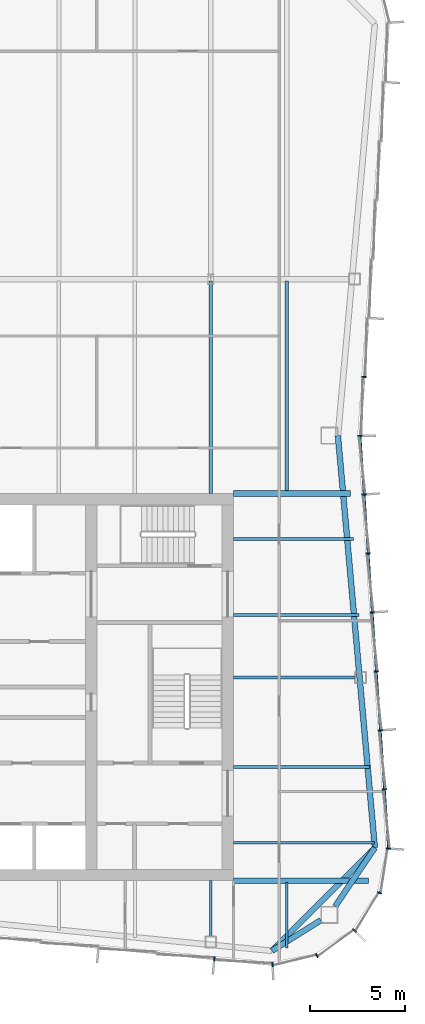
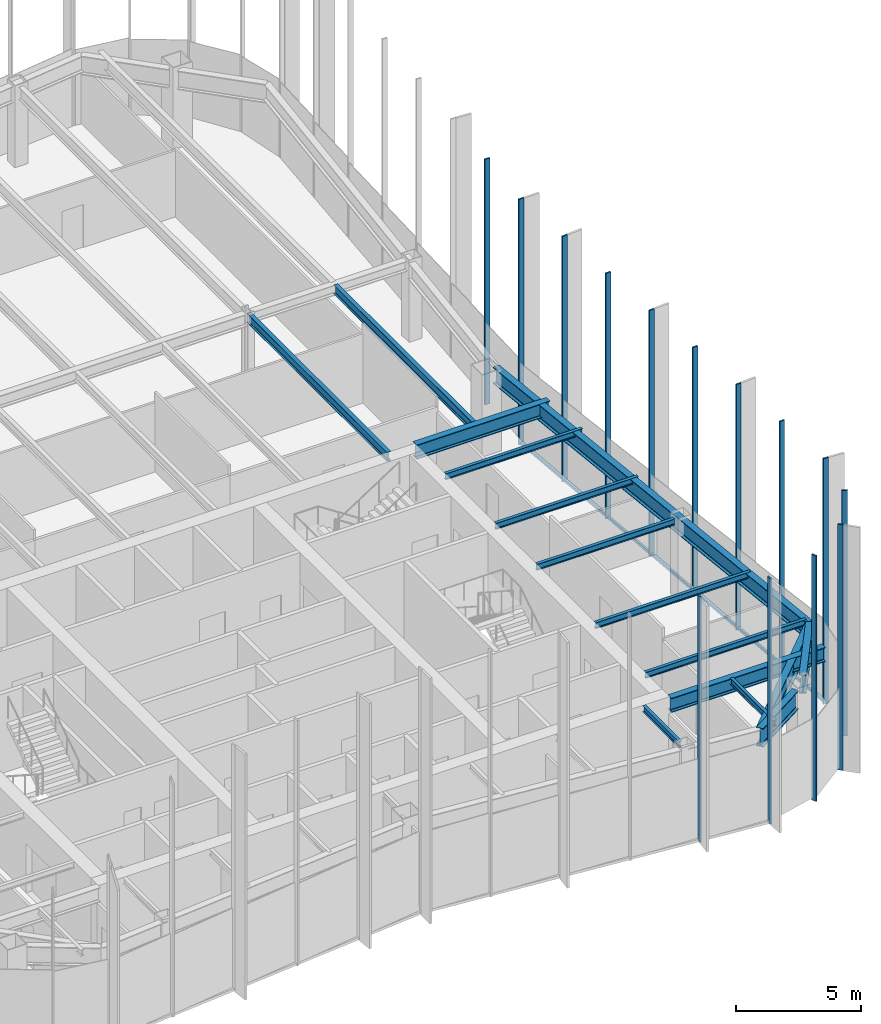
# One storey, part 5 of 13: 15 beams, 15 members, 3 elements without a shape of their own.
"""IFC4 building model written with IfcOpenShell, lengths in metres."""

from ifc_helpers import new_model, si_unit, direction, frame, origin, origin_2d, place, context, subcontext, project, spatial, rectangle, i_section, extrude, material, material_profile, profile_set, type_object, element, aggregate, save


model = new_model("IFC4")

# Units and contexts
model_context = context("Model", 3, precision=1e-05, world=origin(), true_north=direction((0.0, 1.0)))
body_context = subcontext(model_context, "Body", "Model", "MODEL_VIEW")
ifc_project = project(units=[si_unit("LENGTHUNIT", "METRE"), si_unit("AREAUNIT", "SQUARE_METRE"), si_unit("VOLUMEUNIT", "CUBIC_METRE"), si_unit("PLANEANGLEUNIT", "RADIAN"), si_unit("MASSUNIT", "GRAM", prefix="KILO")], contexts=[model_context])

# Site, building, storey
site_placement = place(None, origin())
site = spatial("IfcSite", under=ifc_project, at=site_placement, CompositionType="ELEMENT")
building_placement = place(site_placement, origin())
building = spatial("IfcBuilding", under=site, at=building_placement, Name="Verdant Reach Tower", CompositionType="ELEMENT")
storey_placement = place(building_placement, frame((0.0, 0.0, 318.0)))
storey = spatial("IfcBuildingStorey", under=building, at=storey_placement, Name="L73", CompositionType="ELEMENT", Elevation=318.0)

# Curtain wall, members
ifc_material_1 = material(Name="Anodised aluminium", Category="aluminium")
curtain_wall_type = type_object("IfcCurtainWallType", Name="EN-CW SYSTEM Z5", PredefinedType="NOTDEFINED", material=ifc_material_1)
curtain_wall_1_placement = place(storey_placement, origin())
curtain_wall_1 = element("IfcCurtainWall", 1, at=curtain_wall_1_placement, inside=storey, type_object=curtain_wall_type, Name="Curtain wall south-east corner, L73", PredefinedType="NOTDEFINED")
ifc_material_profile_1 = material_profile(ifc_material_1, rectangle(XDim=0.22998046875, YDim=0.070068359375, at=origin_2d()), Name="Mullion 70x230")
ifc_profile_set_1 = profile_set([ifc_material_profile_1], Name="Anodised aluminium")
member_type_1 = type_object("IfcMemberType", Name="EN-MULLION Z5", PredefinedType="MULLION", material=ifc_profile_set_1)
member_1_placement = place(storey_placement, frame((15.255615234375, 13.38525390625, -0.35009765625), z_axis=(0.0, 0.0, 1.0), x_axis=(0.049127596288, -0.998792510626, 0.0)))
member_1 = element("IfcMember", 2, at=member_1_placement, type_object=member_type_1, Name="Mullion south-east corner 1, L73", PredefinedType="MULLION", context=body_context, shape_type="SweptSolid", body=[
    extrude(rectangle(XDim=0.22998046875, YDim=0.070068359375, at=origin_2d()), origin(), (0.0, 0.0, 1.0), 12.0),
])
member_2_placement = place(storey_placement, frame((17.590087890625, 13.850341796875, -0.35009765625), z_axis=(0.0, 0.0, 1.0), x_axis=(0.382693853776, -0.923875215753, 0.0)))
member_2 = element("IfcMember", 3, at=member_2_placement, type_object=member_type_1, Name="Mullion south-east corner 2, L73", PredefinedType="MULLION", context=body_context, shape_type="SweptSolid", body=[
    extrude(rectangle(XDim=0.22998046875, YDim=0.070068359375, at=origin_2d()), origin(), (0.0, 0.0, 1.0), 12.0),
])
member_3_placement = place(storey_placement, frame((19.573974609375, 15.176025390625, -0.35009765625), z_axis=(0.0, 0.0, 1.0), x_axis=(0.707106781187, -0.707106781187, 0.0)))
member_3 = element("IfcMember", 4, at=member_3_placement, type_object=member_type_1, Name="Mullion south-east corner 3, L73", PredefinedType="MULLION", context=body_context, shape_type="SweptSolid", body=[
    extrude(rectangle(XDim=0.22998046875, YDim=0.070068359375, at=origin_2d()), origin(), (0.0, 0.0, 1.0), 12.0),
])
member_4_placement = place(storey_placement, frame((20.899658203125, 17.159912109375, -0.35009765625), z_axis=(0.0, 0.0, 1.0), x_axis=(0.923875215753, -0.382693853776, 0.0)))
member_4 = element("IfcMember", 5, at=member_4_placement, type_object=member_type_1, Name="Mullion south-east corner 4, L73", PredefinedType="MULLION", context=body_context, shape_type="SweptSolid", body=[
    extrude(rectangle(XDim=0.22998046875, YDim=0.070068359375, at=origin_2d()), origin(), (0.0, 0.0, 1.0), 12.0),
])
aggregate(curtain_wall_1, [member_1, member_2, member_3, member_4])

curtain_wall_2_placement = place(storey_placement, origin())
curtain_wall_2 = element("IfcCurtainWall", 6, at=curtain_wall_2_placement, inside=storey, type_object=curtain_wall_type, Name="Curtain wall east, L73", PredefinedType="NOTDEFINED")
member_5_placement = place(storey_placement, frame((21.36474609375, 19.49267578125, -0.35009765625), z_axis=(0.0, 0.0, 1.0), x_axis=(0.997969180898, -0.063698618332, 0.0)))
member_5 = element("IfcMember", 7, at=member_5_placement, type_object=member_type_1, Name="Mullion east face part 1 1, L73", PredefinedType="MULLION", context=body_context, shape_type="SweptSolid", body=[
    extrude(rectangle(XDim=0.22998046875, YDim=0.070068359375, at=origin_2d()), origin(), (0.0, 0.0, 1.0), 12.0),
])
member_6_placement = place(storey_placement, frame((21.150390625, 22.614990234375, -0.35009765625), z_axis=(0.0, 0.0, 1.0), x_axis=(0.997630328423, 0.068802091615, 0.0)))
member_6 = element("IfcMember", 8, at=member_6_placement, type_object=member_type_1, Name="Mullion east face part 1 2, L73", PredefinedType="MULLION", context=body_context, shape_type="SweptSolid", body=[
    extrude(rectangle(XDim=0.22998046875, YDim=0.070068359375, at=origin_2d()), origin(), (0.0, 0.0, 1.0), 12.0),
])
member_7_placement = place(storey_placement, frame((20.93603515625, 25.72216796875, -0.35009765625), z_axis=(0.0, 0.0, 1.0), x_axis=(0.997630328423, 0.068802091615, 0.0)))
member_7 = element("IfcMember", 9, at=member_7_placement, type_object=member_type_1, Name="Mullion east face part 1 3, L73", PredefinedType="MULLION", context=body_context, shape_type="SweptSolid", body=[
    extrude(rectangle(XDim=0.22998046875, YDim=0.070068359375, at=origin_2d()), origin(), (0.0, 0.0, 1.0), 12.0),
])
member_8_placement = place(storey_placement, frame((20.721923828125, 28.829345703125, -0.35009765625), z_axis=(0.0, 0.0, 1.0), x_axis=(0.997630328423, 0.068802091615, 0.0)))
member_8 = element("IfcMember", 10, at=member_8_placement, type_object=member_type_1, Name="Mullion east face part 1 4, L73", PredefinedType="MULLION", context=body_context, shape_type="SweptSolid", body=[
    extrude(rectangle(XDim=0.22998046875, YDim=0.070068359375, at=origin_2d()), origin(), (0.0, 0.0, 1.0), 12.0),
])
member_9_placement = place(storey_placement, frame((20.507568359375, 31.9365234375, -0.35009765625), z_axis=(0.0, 0.0, 1.0), x_axis=(0.997630328423, 0.068802091615, 0.0)))
member_9 = element("IfcMember", 11, at=member_9_placement, type_object=member_type_1, Name="Mullion east face part 1 5, L73", PredefinedType="MULLION", context=body_context, shape_type="SweptSolid", body=[
    extrude(rectangle(XDim=0.22998046875, YDim=0.070068359375, at=origin_2d()), origin(), (0.0, 0.0, 1.0), 12.0),
])
member_10_placement = place(storey_placement, frame((20.293212890625, 35.043701171875, -0.35009765625), z_axis=(0.0, 0.0, 1.0), x_axis=(0.997630328423, 0.068802091615, 0.0)))
member_10 = element("IfcMember", 12, at=member_10_placement, type_object=member_type_1, Name="Mullion east face part 1 6, L73", PredefinedType="MULLION", context=body_context, shape_type="SweptSolid", body=[
    extrude(rectangle(XDim=0.22998046875, YDim=0.070068359375, at=origin_2d()), origin(), (0.0, 0.0, 1.0), 12.0),
])
member_11_placement = place(storey_placement, frame((20.0791015625, 38.15087890625, -0.35009765625), z_axis=(0.0, 0.0, 1.0), x_axis=(0.997630328423, 0.068802091615, 0.0)))
member_11 = element("IfcMember", 13, at=member_11_placement, type_object=member_type_1, Name="Mullion east face part 1 7, L73", PredefinedType="MULLION", context=body_context, shape_type="SweptSolid", body=[
    extrude(rectangle(XDim=0.22998046875, YDim=0.070068359375, at=origin_2d()), origin(), (0.0, 0.0, 1.0), 12.0),
])
member_12_placement = place(storey_placement, frame((19.864990234375, 41.25, -0.35009765625), z_axis=(0.0, 0.0, 1.0), x_axis=(1.0, 0.0, 0.0)))
member_12 = element("IfcMember", 14, at=member_12_placement, type_object=member_type_1, Name="Mullion east face part 2 1, L73", PredefinedType="MULLION", context=body_context, shape_type="SweptSolid", body=[
    extrude(rectangle(XDim=0.22998046875, YDim=0.070068359375, at=origin_2d()), origin(), (0.0, 0.0, 1.0), 12.0),
])
member_13_placement = place(storey_placement, frame((20.0791015625, 44.34912109375, -0.35009765625), z_axis=(0.0, 0.0, 1.0), x_axis=(0.997630328423, -0.068802091615, 0.0)))
member_13 = element("IfcMember", 15, at=member_13_placement, type_object=member_type_1, Name="Mullion east face part 2 2, L73", PredefinedType="MULLION", context=body_context, shape_type="SweptSolid", body=[
    extrude(rectangle(XDim=0.22998046875, YDim=0.070068359375, at=origin_2d()), origin(), (0.0, 0.0, 1.0), 12.0),
])

# Curtain wall, member
curtain_wall_3_placement = place(storey_placement, origin())
curtain_wall_3 = element("IfcCurtainWall", 16, at=curtain_wall_3_placement, inside=storey, type_object=curtain_wall_type, Name="Curtain wall south, L73", PredefinedType="NOTDEFINED")
member_14_placement = place(storey_placement, frame((12.188720703125, 13.685546875, -0.35009765625), z_axis=(0.0, 0.0, 1.0), x_axis=(-0.09788826992, -0.995197410875, 0.0)))
member_14 = element("IfcMember", 17, at=member_14_placement, type_object=member_type_1, Name="Mullion south face part 2 5, L73", PredefinedType="MULLION", context=body_context, shape_type="SweptSolid", body=[
    extrude(rectangle(XDim=0.22998046875, YDim=0.070068359375, at=origin_2d()), origin(), (0.0, 0.0, 1.0), 12.0),
])
aggregate(curtain_wall_3, [member_14])

# Member
ifc_material_profile_2 = material_profile(ifc_material_1, rectangle(XDim=0.10009765625, YDim=0.1298828125, at=origin_2d()), Name="Transom 130x100")
ifc_profile_set_2 = profile_set([ifc_material_profile_2], Name="Anodised aluminium")
member_type_2 = type_object("IfcMemberType", Name="EN-TRANSOM Z5", PredefinedType="USERDEFINED", material=ifc_profile_set_2)
member_15_placement = place(storey_placement, frame((21.3623046875, 19.527587890625, -0.284912109375), z_axis=(-0.068764705107, 0.997632906099, 0.0), x_axis=(-0.997632906099, -0.068764705107, 0.0)))
member_15 = element("IfcMember", 18, at=member_15_placement, type_object=member_type_2, Name="Transom east face part 1 1.1, L73", ObjectType="TRANSOM", PredefinedType="USERDEFINED", context=body_context, shape_type="SweptSolid", body=[
    extrude(rectangle(XDim=0.10009765625, YDim=0.1298828125, at=origin_2d()), origin(), (0.0, 0.0, 1.0), 21.739013671875),
])

aggregate(curtain_wall_2, [member_5, member_6, member_7, member_8, member_9, member_10, member_11, member_15, member_12, member_13])

# Beams
ifc_material_2 = material(Name="Steel S355", Category="steel")
ifc_material_profile_3 = material_profile(ifc_material_2, i_section(OverallWidth=0.300048828125, OverallDepth=0.699951171875, WebThickness=0.01708984375, FlangeThickness=0.031982421875, FilletRadius=0.027099609375, at=origin_2d()), Name="HEB 700")
ifc_profile_set_3 = profile_set([ifc_material_profile_3], Name="Steel S355")
beam_type_1 = type_object("IfcBeamType", Name="ST-BEAM-HEB700", PredefinedType="BEAM", material=ifc_profile_set_3)
beam_1_placement = place(storey_placement, frame((13.199951171875, 38.199951171875, 3.52001953125), z_axis=(1.0, 0.0, 0.0), x_axis=(0.0, 1.0, 0.0)))
element("IfcBeam", 19, at=beam_1_placement, inside=storey, type_object=beam_type_1, Name="Trimmer beam, L73", PredefinedType="BEAM", context=body_context, shape_type="SweptSolid", body=[
    extrude(i_section(OverallWidth=0.300048828125, OverallDepth=0.699951171875, WebThickness=0.01708984375, FlangeThickness=0.031982421875, FilletRadius=0.027099609375, at=origin_2d()), origin(), (0.0, 0.0, 1.0), 6.158935546875),
])
beam_2_placement = place(storey_placement, frame((13.199951171875, 17.800048828125, 3.52001953125), z_axis=(1.0, 0.0, 0.0), x_axis=(0.0, 1.0, 0.0)))
element("IfcBeam", 20, at=beam_2_placement, inside=storey, type_object=beam_type_1, Name="Trimmer beam, L73", PredefinedType="BEAM", context=body_context, shape_type="SweptSolid", body=[
    extrude(i_section(OverallWidth=0.300048828125, OverallDepth=0.699951171875, WebThickness=0.01708984375, FlangeThickness=0.031982421875, FilletRadius=0.027099609375, at=origin_2d()), origin(), (0.0, 0.0, 1.0), 7.10009765625),
])
ifc_material_profile_4 = material_profile(ifc_material_2, i_section(OverallWidth=0.302001953125, OverallDepth=0.909912109375, WebThickness=0.02099609375, FlangeThickness=0.0400390625, FilletRadius=0.030029296875, at=origin_2d()), Name="HEM 900")
ifc_profile_set_4 = profile_set([ifc_material_profile_4], Name="Steel S355")
beam_type_2 = type_object("IfcBeamType", Name="ST-BEAM-HEM900", PredefinedType="BEAM", material=ifc_profile_set_4)
beam_3_placement = place(storey_placement, frame((17.800048828125, 15.71875, 3.4150390625), z_axis=(-0.847903624467, -0.530150397166, 0.0), x_axis=(0.530150397166, -0.847903624467, 0.0)))
element("IfcBeam", 21, at=beam_3_placement, inside=storey, type_object=beam_type_2, Name="Column stub beam, L73", PredefinedType="BEAM", context=body_context, shape_type="SweptSolid", body=[
    extrude(i_section(OverallWidth=0.302001953125, OverallDepth=0.909912109375, WebThickness=0.02099609375, FlangeThickness=0.0400390625, FilletRadius=0.030029296875, at=origin_2d()), origin(), (0.0, 0.0, 1.0), 3.042724609375),
])
beam_4_placement = place(storey_placement, frame((18.5546875, 16.449951171875, 3.4150390625), z_axis=(0.560667226688, 0.828041219335, 0.0), x_axis=(-0.828041219335, 0.560667226688, 0.0)))
element("IfcBeam", 22, at=beam_4_placement, inside=storey, type_object=beam_type_2, Name="Column stub beam, L73", PredefinedType="BEAM", context=body_context, shape_type="SweptSolid", body=[
    extrude(i_section(OverallWidth=0.302001953125, OverallDepth=0.909912109375, WebThickness=0.02099609375, FlangeThickness=0.0400390625, FilletRadius=0.030029296875, at=origin_2d()), origin(), (0.0, 0.0, 1.0), 3.72998046875),
])
ifc_material_profile_5 = material_profile(ifc_material_2, i_section(OverallWidth=0.14990234375, OverallDepth=0.300048828125, WebThickness=0.007080078125, FlangeThickness=0.0107421875, FilletRadius=0.014892578125, at=origin_2d()), Name="IPE 300")
ifc_profile_set_5 = profile_set([ifc_material_profile_5], Name="Steel S355")
beam_type_3 = type_object("IfcBeamType", Name="ST-JOIST-IPE300", PredefinedType="JOIST", material=ifc_profile_set_5)
beam_5_placement = place(storey_placement, frame((12.0, 17.800048828125, 3.719970703125), z_axis=(0.0, -1.0, 0.0), x_axis=(1.0, 0.0, 0.0)))
element("IfcBeam", 23, at=beam_5_placement, inside=storey, type_object=beam_type_3, Name="Floor joist, L73", PredefinedType="JOIST", context=body_context, shape_type="SweptSolid", body=[
    extrude(i_section(OverallWidth=0.14990234375, OverallDepth=0.300048828125, WebThickness=0.007080078125, FlangeThickness=0.0107421875, FilletRadius=0.014892578125, at=origin_2d()), origin(), (0.0, 0.0, 1.0), 2.930419921875),
])
beam_6_placement = place(storey_placement, frame((16.0, 17.699951171875, 3.719970703125), z_axis=(0.0, -1.0, 0.0), x_axis=(1.0, 0.0, 0.0)))
element("IfcBeam", 24, at=beam_6_placement, inside=storey, type_object=beam_type_3, Name="Floor joist, L73", PredefinedType="JOIST", context=body_context, shape_type="SweptSolid", body=[
    extrude(i_section(OverallWidth=0.14990234375, OverallDepth=0.300048828125, WebThickness=0.007080078125, FlangeThickness=0.0107421875, FilletRadius=0.014892578125, at=origin_2d()), origin(), (0.0, 0.0, 1.0), 3.43896484375),
])
beam_7_placement = place(storey_placement, frame((13.199951171875, 19.800048828125, 3.719970703125), z_axis=(1.0, 0.0, 0.0), x_axis=(0.0, 1.0, 0.0)))
element("IfcBeam", 25, at=beam_7_placement, inside=storey, type_object=beam_type_3, Name="Floor joist, L73", PredefinedType="JOIST", context=body_context, shape_type="SweptSolid", body=[
    extrude(i_section(OverallWidth=0.14990234375, OverallDepth=0.300048828125, WebThickness=0.007080078125, FlangeThickness=0.0107421875, FilletRadius=0.014892578125, at=origin_2d()), origin(), (0.0, 0.0, 1.0), 7.427978515625),
])
beam_8_placement = place(storey_placement, frame((13.199951171875, 23.800048828125, 3.719970703125), z_axis=(1.0, 0.0, 0.0), x_axis=(0.0, 1.0, 0.0)))
element("IfcBeam", 26, at=beam_8_placement, inside=storey, type_object=beam_type_3, Name="Floor joist, L73", PredefinedType="JOIST", context=body_context, shape_type="SweptSolid", body=[
    extrude(i_section(OverallWidth=0.14990234375, OverallDepth=0.300048828125, WebThickness=0.007080078125, FlangeThickness=0.0107421875, FilletRadius=0.014892578125, at=origin_2d()), origin(), (0.0, 0.0, 1.0), 7.152099609375),
])
beam_9_placement = place(storey_placement, frame((13.199951171875, 28.5, 3.719970703125), z_axis=(1.0, 0.0, 0.0), x_axis=(0.0, 1.0, 0.0)))
element("IfcBeam", 27, at=beam_9_placement, inside=storey, type_object=beam_type_3, Name="Floor joist, L73", PredefinedType="JOIST", context=body_context, shape_type="SweptSolid", body=[
    extrude(i_section(OverallWidth=0.14990234375, OverallDepth=0.300048828125, WebThickness=0.007080078125, FlangeThickness=0.0107421875, FilletRadius=0.014892578125, at=origin_2d()), origin(), (0.0, 0.0, 1.0), 6.37939453125),
])
beam_10_placement = place(storey_placement, frame((13.199951171875, 31.800048828125, 3.719970703125), z_axis=(1.0, 0.0, 0.0), x_axis=(0.0, 1.0, 0.0)))
element("IfcBeam", 28, at=beam_10_placement, inside=storey, type_object=beam_type_3, Name="Floor joist, L73", PredefinedType="JOIST", context=body_context, shape_type="SweptSolid", body=[
    extrude(i_section(OverallWidth=0.14990234375, OverallDepth=0.300048828125, WebThickness=0.007080078125, FlangeThickness=0.0107421875, FilletRadius=0.014892578125, at=origin_2d()), origin(), (0.0, 0.0, 1.0), 6.600341796875),
])
beam_11_placement = place(storey_placement, frame((13.199951171875, 35.800048828125, 3.719970703125), z_axis=(1.0, 0.0, 0.0), x_axis=(0.0, 1.0, 0.0)))
element("IfcBeam", 29, at=beam_11_placement, inside=storey, type_object=beam_type_3, Name="Floor joist, L73", PredefinedType="JOIST", context=body_context, shape_type="SweptSolid", body=[
    extrude(i_section(OverallWidth=0.14990234375, OverallDepth=0.300048828125, WebThickness=0.007080078125, FlangeThickness=0.0107421875, FilletRadius=0.014892578125, at=origin_2d()), origin(), (0.0, 0.0, 1.0), 6.324462890625),
])
ifc_material_profile_6 = material_profile(ifc_material_2, i_section(OverallWidth=0.18994140625, OverallDepth=0.449951171875, WebThickness=0.009521484375, FlangeThickness=0.0146484375, FilletRadius=0.02099609375, at=origin_2d()), Name="IPE 450")
ifc_profile_set_6 = profile_set([ifc_material_profile_6], Name="Steel S355")
beam_type_4 = type_object("IfcBeamType", Name="ST-JOIST-IPE450", PredefinedType="JOIST", material=ifc_profile_set_6)
beam_12_placement = place(storey_placement, frame((12.0, 38.199951171875, 3.64501953125), z_axis=(0.0, 1.0, 0.0), x_axis=(-1.0, 0.0, 0.0)))
element("IfcBeam", 30, at=beam_12_placement, inside=storey, type_object=beam_type_4, Name="Floor joist, L73", PredefinedType="JOIST", context=body_context, shape_type="SweptSolid", body=[
    extrude(i_section(OverallWidth=0.18994140625, OverallDepth=0.449951171875, WebThickness=0.009521484375, FlangeThickness=0.0146484375, FilletRadius=0.02099609375, at=origin_2d()), origin(), (0.0, 0.0, 1.0), 11.199951171875),
])
beam_13_placement = place(storey_placement, frame((16.0, 38.300048828125, 3.64501953125), z_axis=(0.0, 1.0, 0.0), x_axis=(-1.0, 0.0, 0.0)))
element("IfcBeam", 31, at=beam_13_placement, inside=storey, type_object=beam_type_4, Name="Floor joist, L73", PredefinedType="JOIST", context=body_context, shape_type="SweptSolid", body=[
    extrude(i_section(OverallWidth=0.18994140625, OverallDepth=0.449951171875, WebThickness=0.009521484375, FlangeThickness=0.0146484375, FilletRadius=0.02099609375, at=origin_2d()), origin(), (0.0, 0.0, 1.0), 11.099853515625),
])
ifc_material_profile_7 = material_profile(ifc_material_2, i_section(OverallWidth=0.300048828125, OverallDepth=0.800048828125, WebThickness=0.017578125, FlangeThickness=0.032958984375, FilletRadius=0.030029296875, at=origin_2d()), Name="HEB 800")
ifc_profile_set_7 = profile_set([ifc_material_profile_7], Name="Steel S355")
beam_type_5 = type_object("IfcBeamType", Name="ST-SPANDREL-HEB800", PredefinedType="SPANDREL", material=ifc_profile_set_7)
beam_14_placement = place(storey_placement, frame((18.699951171875, 41.25, 3.469970703125), z_axis=(0.089274399498, -0.996007069048, 0.0), x_axis=(0.996007069048, 0.089274399498, 0.0)))
element("IfcBeam", 32, at=beam_14_placement, inside=storey, type_object=beam_type_5, Name="Edge beam, L73", PredefinedType="SPANDREL", context=body_context, shape_type="SweptSolid", body=[
    extrude(i_section(OverallWidth=0.300048828125, OverallDepth=0.800048828125, WebThickness=0.017578125, FlangeThickness=0.032958984375, FilletRadius=0.030029296875, at=origin_2d()), origin(), (0.0, 0.0, 1.0), 21.798583984375),
])
ifc_material_profile_8 = material_profile(ifc_material_2, i_section(OverallWidth=0.302001953125, OverallDepth=0.909912109375, WebThickness=0.02099609375, FlangeThickness=0.0400390625, FilletRadius=0.030029296875, at=origin_2d()), Name="HEM 900")
ifc_profile_set_8 = profile_set([ifc_material_profile_8], Name="Steel S355")
beam_type_6 = type_object("IfcBeamType", Name="ST-SPANDREL-HEM900", PredefinedType="SPANDREL", material=ifc_profile_set_8)
beam_15_placement = place(storey_placement, frame((20.64599609375, 19.53857421875, 3.4150390625), z_axis=(-0.706645581521, -0.707567680237, 0.0), x_axis=(0.707567680237, -0.706645581521, 0.0)))
element("IfcBeam", 33, at=beam_15_placement, inside=storey, type_object=beam_type_6, Name="Edge beam, L73", PredefinedType="SPANDREL", context=body_context, shape_type="SweptSolid", body=[
    extrude(i_section(OverallWidth=0.302001953125, OverallDepth=0.909912109375, WebThickness=0.02099609375, FlangeThickness=0.0400390625, FilletRadius=0.030029296875, at=origin_2d()), origin(), (0.0, 0.0, 1.0), 7.67822265625),
])

save(model, "model.ifc")
